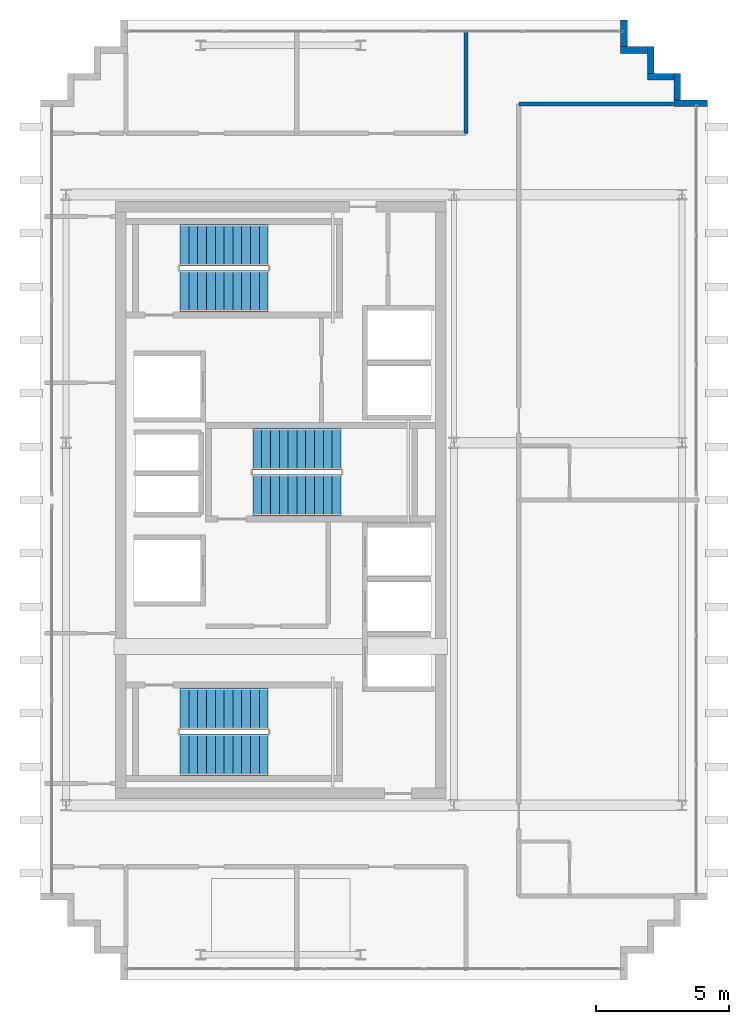
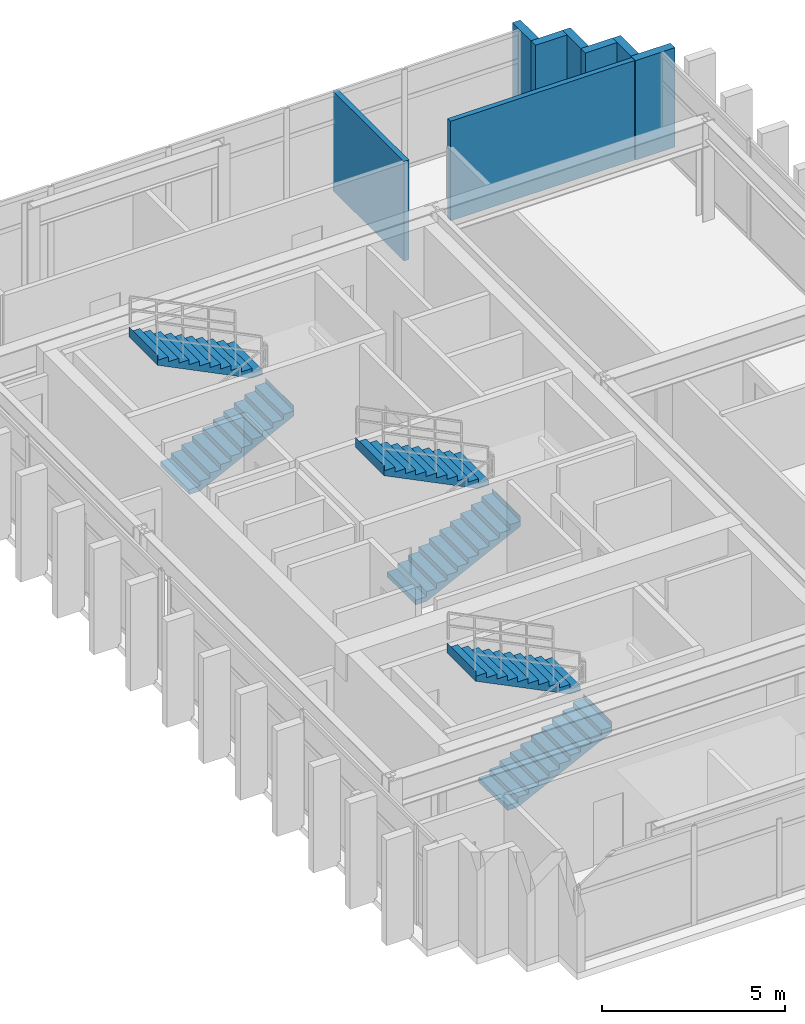
# One storey, part 14 of 15: 8 walls, 6 stair flights, 3 elements without a shape of their own.
"""IFC4 building model written with IfcOpenShell, lengths in metres."""

from ifc_helpers import new_model, si_unit, direction, frame, frame_2d, origin, place, context, subcontext, project, spatial, polyline, rectangle, outline, extrude, source, transform, mapped, material, layer, layer_set, type_object, element, aggregate, save


model = new_model("IFC4")

# Units and contexts
model_context = context("Model", 3, precision=1e-05, world=origin(), true_north=direction((0.0, 1.0)))
body_context = subcontext(model_context, "Body", "Model", "MODEL_VIEW")
ifc_project = project(units=[si_unit("LENGTHUNIT", "METRE"), si_unit("AREAUNIT", "SQUARE_METRE"), si_unit("VOLUMEUNIT", "CUBIC_METRE"), si_unit("PLANEANGLEUNIT", "RADIAN"), si_unit("MASSUNIT", "GRAM", prefix="KILO")], contexts=[model_context])

# Site, building, storey
site_placement = place(None, origin())
site = spatial("IfcSite", under=ifc_project, at=site_placement, CompositionType="ELEMENT")
building_placement = place(site_placement, origin())
building = spatial("IfcBuilding", under=site, at=building_placement, Name="Ocotamira Hotel", CompositionType="ELEMENT")
storey_placement = place(building_placement, frame((0.0, 0.0, 297.60009765625)))
storey = spatial("IfcBuildingStorey", under=building, at=storey_placement, Name="L76", CompositionType="ELEMENT", Elevation=297.60009765625)

# Walls
ifc_material_1 = material(Name="Precast concrete C45/55", Category="concrete")
ifc_layer_1 = layer(ifc_material_1, 0.25)
ifc_layer_set_1 = layer_set([ifc_layer_1], Name="Precast concrete C45/55")
wall_type_1 = type_object("IfcWallType", Name="WL-EXT-SER-250", PredefinedType="SOLIDWALL", material=ifc_layer_set_1)
wall_1_placement = place(storey_placement, frame((33.0, 40.875, 0.0), z_axis=(0.0, 0.0, 1.0), x_axis=(-1.0, 0.0, 0.0)))
element("IfcWall", 1, at=wall_1_placement, inside=storey, type_object=wall_type_1, Name="L76 Serrated Corner Wall 07", PredefinedType="SOLIDWALL", context=body_context, shape_type="SweptSolid", body=[
    extrude(rectangle(XDim=1.25, YDim=0.25, at=frame_2d((0.625, 0.0))), origin(), (0.0, 0.0, 1.0), 3.31982421875),
])
for number, where, z_axis, x_axis, name in (
    (2, (31.875, 41.0, 0.0), (0.0, 0.0, 1.0), (0.0, 1.0, 0.0), "L76 Serrated Corner Wall 08"),
    (3, (31.75, 41.875, 0.0), (0.0, 0.0, 1.0), (-1.0, 0.0, 0.0), "L76 Serrated Corner Wall 09"),
    (4, (30.875, 42.0, 0.0), (0.0, 0.0, 1.0), (0.0, 1.0, 0.0), "L76 Serrated Corner Wall 10"),
    (5, (30.75, 42.875, 0.0), (0.0, 0.0, 1.0), (-1.0, 0.0, 0.0), "L76 Serrated Corner Wall 11"),
    (6, (29.875, 43.0, 0.0), (0.0, 0.0, 1.0), (0.0, 1.0, 0.0), "L76 Serrated Corner Wall 12"),
):
    element("IfcWall", number, at=place(storey_placement, frame(where, z_axis=z_axis, x_axis=x_axis)), inside=storey, type_object=wall_type_1, Name=name, PredefinedType="SOLIDWALL", context=body_context, shape_type="SweptSolid", body=[
        extrude(rectangle(XDim=1.0, YDim=0.25, at=frame_2d((0.5, 0.0))), origin(), (0.0, 0.0, 1.0), 3.31982421875),
    ])
ifc_material_2 = material(Name="Acoustic double-stud hospitality gypsum partition", Category="gypsum")
ifc_layer_2 = layer(ifc_material_2, 0.159912109375)
ifc_layer_set_2 = layer_set([ifc_layer_2], Name="Acoustic double-stud hospitality gypsum partition")
wall_type_2 = type_object("IfcWallType", Name="WL-PART-160", PredefinedType="PARTITIONING", material=ifc_layer_set_2)
wall_2_placement = place(storey_placement, frame((23.949951171875, 39.75, 0.0), z_axis=(0.0, 0.0, 1.0), x_axis=(0.0, 1.0, 0.0)))
element("IfcWall", 7, at=wall_2_placement, inside=storey, type_object=wall_type_2, Name="L76 Interior Wall PW-L76-WP2N-PWEND", PredefinedType="PARTITIONING", context=body_context, shape_type="SweptSolid", body=[
    extrude(rectangle(XDim=3.889892578125, YDim=0.159912109375, at=frame_2d((1.94482421875, 0.0))), origin(), (0.0, 0.0, 1.0), 3.31982421875),
])
wall_3_placement = place(storey_placement, frame((25.929931640625, 40.85009765625, 0.0), z_axis=(0.0, 0.0, 1.0), x_axis=(1.0, 0.0, 0.0)))
element("IfcWall", 8, at=wall_3_placement, inside=storey, type_object=wall_type_2, Name="L76 Interior Wall PW-L76-WP-EDIVN", PredefinedType="PARTITIONING", context=body_context, shape_type="SweptSolid", body=[
    extrude(rectangle(XDim=5.81005859375, YDim=0.159912109375, at=frame_2d((2.905029296875, 0.0))), origin(), (0.0, 0.0, 1.0), 3.31982421875),
])

# Stair, stair flights
ifc_material_3 = material(Name="Concrete C40/50", Category="concrete")
stair_type = type_object("IfcStairType", Name="ST-CORE-1560", PredefinedType="HALF_TURN_STAIR", material=ifc_material_3)
stair_1_placement = place(storey_placement, origin())
stair_1 = element("IfcStair", 9, at=stair_1_placement, inside=storey, type_object=stair_type, Name="L76 Exit Stair ST-1", PredefinedType="HALF_TURN_STAIR")
stair_flight_type = type_object("IfcStairFlightType", Name="STF-CORE-1560", PredefinedType="STRAIGHT", material=ifc_material_3)
shared_shape = source(origin(), body_context, "Body", "SweptSolid", [
    extrude(outline(polyline([(-0.00390625, 0.0), (-0.00390625, 0.16357421875), (0.330078125, 0.16357421875), (0.330078125, 0.327392578125), (0.659912109375, 0.327392578125), (0.659912109375, 0.490966796875), (0.989990234375, 0.490966796875), (0.989990234375, 0.654541015625), (1.320068359375, 0.654541015625), (1.320068359375, 0.818115234375), (1.64990234375, 0.818115234375), (1.64990234375, 0.98193359375), (1.97998046875, 0.98193359375), (1.97998046875, 1.1455078125), (2.31005859375, 1.1455078125), (2.31005859375, 1.30908203125), (2.639892578125, 1.30908203125), (2.639892578125, 1.47265625), (2.969970703125, 1.47265625), (2.969970703125, 1.636474609375), (3.300048828125, 1.636474609375), (3.300048828125, 1.800048828125), (3.303955078125, 1.800048828125), (3.303955078125, 1.468994140625), (0.33740234375, 0.0), (-0.00390625, 0.0)])), frame((0.0, 0.780029296875, 0.0), z_axis=(0.0, -1.0, 0.0), x_axis=(1.0, 0.0, 0.0)), (0.0, 0.0, 1.0), 1.56005859375),
])
stair_flight_1_placement = place(storey_placement, frame((13.22998046875, 16.449951171875, 0.0), z_axis=(0.0, 0.0, 1.0), x_axis=(1.0, 0.0, 0.0)))
stair_flight_1 = element("IfcStairFlight", 10, at=stair_flight_1_placement, type_object=stair_flight_type, Name="ST-1 flight 1", NumberOfRisers=11, NumberOfTreads=10, PredefinedType="STRAIGHT", RiserHeight=0.163636364, TreadLength=0.33, context=body_context, shape_type="MappedRepresentation", body=[
    mapped(shared_shape, transform((0.0, 0.0, 0.0), scale=1.0)),
])
stair_flight_2_placement = place(storey_placement, frame((16.530029296875, 18.169921875, 1.7998046875), z_axis=(0.0, 0.0, 1.0), x_axis=(-1.0, 0.0, 0.0)))
stair_flight_2 = element("IfcStairFlight", 11, at=stair_flight_2_placement, type_object=stair_flight_type, Name="ST-1 flight 2", NumberOfRisers=11, NumberOfTreads=10, PredefinedType="STRAIGHT", RiserHeight=0.163636364, TreadLength=0.33, context=body_context, shape_type="MappedRepresentation", body=[
    mapped(shared_shape, transform((0.0, 0.0, 0.0), scale=1.0)),
])
aggregate(stair_1, [stair_flight_1, stair_flight_2])

stair_2_placement = place(storey_placement, origin())
stair_2 = element("IfcStair", 12, at=stair_2_placement, inside=storey, type_object=stair_type, Name="L76 Exit Stair ST-2", PredefinedType="HALF_TURN_STAIR")
stair_flight_3_placement = place(storey_placement, frame((13.22998046875, 33.830078125, 0.0), z_axis=(0.0, 0.0, 1.0), x_axis=(1.0, 0.0, 0.0)))
stair_flight_3 = element("IfcStairFlight", 13, at=stair_flight_3_placement, type_object=stair_flight_type, Name="ST-2 flight 1", NumberOfRisers=11, NumberOfTreads=10, PredefinedType="STRAIGHT", RiserHeight=0.163636364, TreadLength=0.33, context=body_context, shape_type="MappedRepresentation", body=[
    mapped(shared_shape, transform((0.0, 0.0, 0.0), scale=1.0)),
])
stair_flight_4_placement = place(storey_placement, frame((16.530029296875, 35.550048828125, 1.7998046875), z_axis=(0.0, 0.0, 1.0), x_axis=(-1.0, 0.0, 0.0)))
stair_flight_4 = element("IfcStairFlight", 14, at=stair_flight_4_placement, type_object=stair_flight_type, Name="ST-2 flight 2", NumberOfRisers=11, NumberOfTreads=10, PredefinedType="STRAIGHT", RiserHeight=0.163636364, TreadLength=0.33, context=body_context, shape_type="MappedRepresentation", body=[
    mapped(shared_shape, transform((0.0, 0.0, 0.0), scale=1.0)),
])
aggregate(stair_2, [stair_flight_3, stair_flight_4])

stair_3_placement = place(storey_placement, origin())
stair_3 = element("IfcStair", 15, at=stair_3_placement, inside=storey, type_object=stair_type, Name="L76 Exit Stair ST-3", PredefinedType="HALF_TURN_STAIR")
stair_flight_5_placement = place(storey_placement, frame((15.9599609375, 26.179931640625, 0.0), z_axis=(0.0, 0.0, 1.0), x_axis=(1.0, 0.0, 0.0)))
stair_flight_5 = element("IfcStairFlight", 16, at=stair_flight_5_placement, type_object=stair_flight_type, Name="ST-3 flight 1", NumberOfRisers=11, NumberOfTreads=10, PredefinedType="STRAIGHT", RiserHeight=0.163636364, TreadLength=0.33, context=body_context, shape_type="MappedRepresentation", body=[
    mapped(shared_shape, transform((0.0, 0.0, 0.0), scale=1.0)),
])
stair_flight_6_placement = place(storey_placement, frame((19.260009765625, 27.89990234375, 1.7998046875), z_axis=(0.0, 0.0, 1.0), x_axis=(-1.0, 0.0, 0.0)))
stair_flight_6 = element("IfcStairFlight", 17, at=stair_flight_6_placement, type_object=stair_flight_type, Name="ST-3 flight 2", NumberOfRisers=11, NumberOfTreads=10, PredefinedType="STRAIGHT", RiserHeight=0.163636364, TreadLength=0.33, context=body_context, shape_type="MappedRepresentation", body=[
    mapped(shared_shape, transform((0.0, 0.0, 0.0), scale=1.0)),
])
aggregate(stair_3, [stair_flight_5, stair_flight_6])

save(model, "model.ifc")
